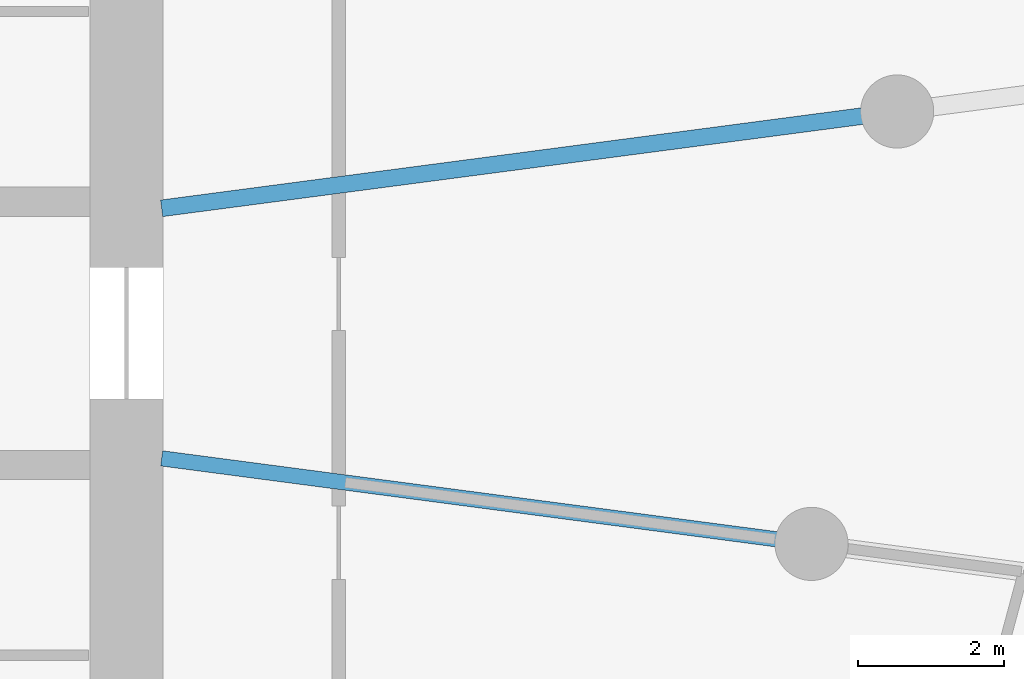
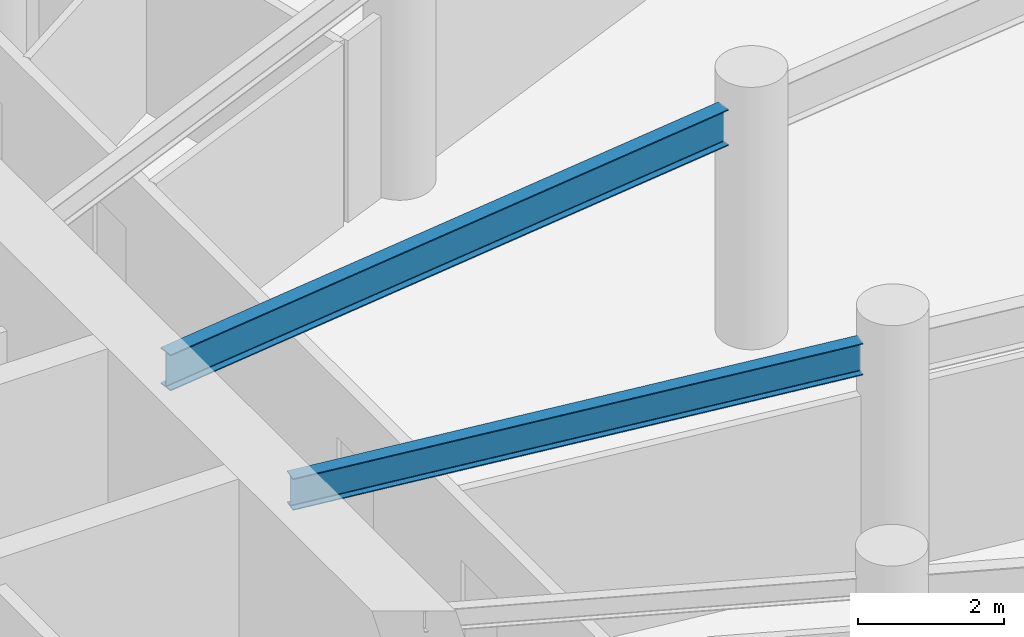
# One storey, part 5 of 19: 2 beams.
"""IFC4 building model written with IfcOpenShell, lengths in metres."""

from ifc_helpers import new_model, si_unit, direction, frame, origin, origin_2d, place, context, subcontext, project, spatial, i_section, extrude, source, transform, mapped, material, material_profile, profile_set, type_object, element, save


model = new_model("IFC4")

# Units and contexts
model_context = context("Model", 3, precision=1e-05, world=origin(), true_north=direction((0.0, 1.0)))
body_context = subcontext(model_context, "Body", "Model", "MODEL_VIEW")
ifc_project = project(units=[si_unit("LENGTHUNIT", "METRE"), si_unit("AREAUNIT", "SQUARE_METRE"), si_unit("VOLUMEUNIT", "CUBIC_METRE"), si_unit("PLANEANGLEUNIT", "RADIAN"), si_unit("MASSUNIT", "GRAM", prefix="KILO")], contexts=[model_context])

# Site, building, storey
site_placement = place(None, origin())
site = spatial("IfcSite", under=ifc_project, at=site_placement, CompositionType="ELEMENT")
building_placement = place(site_placement, origin())
building = spatial("IfcBuilding", under=site, at=building_placement, Name="Spindrift Exchange Tower", CompositionType="ELEMENT")
storey_placement = place(building_placement, frame((0.0, 0.0, 22.60009765625)))
storey = spatial("IfcBuildingStorey", under=building, at=storey_placement, Name="L05", CompositionType="ELEMENT", Elevation=22.60009765625)

# Beams
ifc_material = material(Name="Steel Grade 300", Category="steel")
ifc_material_profile_1 = material_profile(ifc_material, i_section(OverallWidth=0.22802734375, OverallDepth=0.60693359375, WebThickness=0.01123046875, FlangeThickness=0.017333984375, FilletRadius=0.013916015625, at=origin_2d()), Name="610UB113")
ifc_profile_set_1 = profile_set([ifc_material_profile_1], Name="Steel Grade 300")
beam_type_1 = type_object("IfcBeamType", Name="Floor Beam 610UB113 Steel Grade 300", PredefinedType="BEAM", material=ifc_profile_set_1)
shared_shape_1 = source(origin(), body_context, "Body", "SweptSolid", [
    extrude(i_section(OverallWidth=0.22802734375, OverallDepth=0.60693359375, WebThickness=0.01123046875, FlangeThickness=0.017333984375, FilletRadius=0.013916015625, at=origin_2d()), origin(), (0.0, 0.0, 1.0), 9.660400390625),
])
beam_1_placement = place(storey_placement, frame((64.980224609375, 49.708984375, 3.646484375), z_axis=(0.99144767089, 0.130504850054, 0.0), x_axis=(-0.130504850054, 0.99144767089, 0.0)))
element("IfcBeam", 1, at=beam_1_placement, inside=storey, type_object=beam_type_1, Name="L05 radial beam R01A", PredefinedType="BEAM", context=body_context, shape_type="MappedRepresentation", body=[
    mapped(shared_shape_1, transform((0.0, 0.0, 0.0), scale=1.0)),
])
ifc_material_profile_2 = material_profile(ifc_material, i_section(OverallWidth=0.208984375, OverallDepth=0.532958984375, WebThickness=0.01025390625, FlangeThickness=0.015625, FilletRadius=0.013916015625, at=origin_2d()), Name="530UB92.4")
ifc_profile_set_2 = profile_set([ifc_material_profile_2], Name="Steel Grade 300")
beam_type_2 = type_object("IfcBeamType", Name="Floor Beam 530UB92.4 Steel Grade 300", PredefinedType="BEAM", material=ifc_profile_set_2)
shared_shape_2 = source(origin(), body_context, "Body", "SweptSolid", [
    extrude(i_section(OverallWidth=0.208984375, OverallDepth=0.532958984375, WebThickness=0.01025390625, FlangeThickness=0.015625, FilletRadius=0.013916015625, at=origin_2d()), origin(), (0.0, 0.0, 1.0), 8.4794921875),
])
beam_2_placement = place(storey_placement, frame((64.980224609375, 46.291015625, 3.683349609375), z_axis=(0.991446551951, -0.13051335037, 0.0), x_axis=(0.13051335037, 0.991446551951, 0.0)))
element("IfcBeam", 2, at=beam_2_placement, inside=storey, type_object=beam_type_2, Name="L05 radial beam R24A", PredefinedType="BEAM", context=body_context, shape_type="MappedRepresentation", body=[
    mapped(shared_shape_2, transform((0.0, 0.0, 0.0), scale=1.0)),
])

save(model, "model.ifc")
